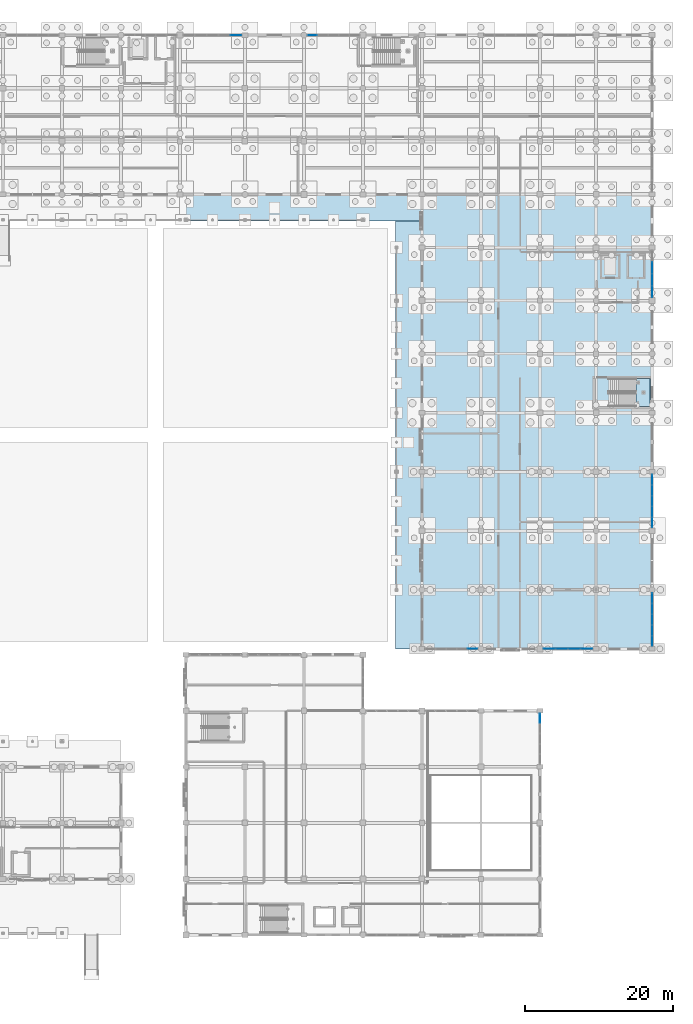
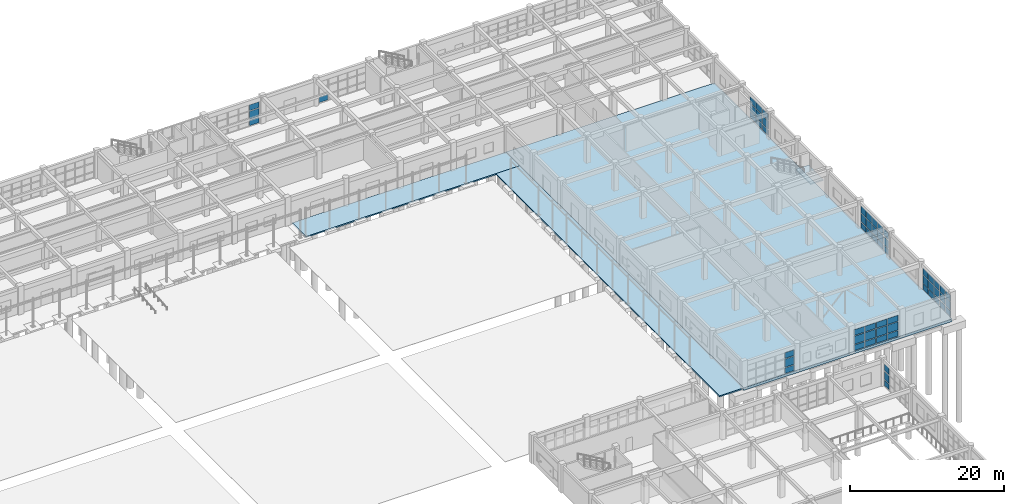
# One storey, part 116 of 166: 61 plates, 4 slabs, 9 elements without a shape of their own.
"""IFC4 building model written with IfcOpenShell, lengths in metres."""

from ifc_helpers import new_model, si_unit, direction, frame, origin, origin_2d, place, context, subcontext, project, spatial, polyline, rectangle, outline, extrude, material, layer, layer_set, type_object, element, aggregate, save


model = new_model("IFC4")

# Units and contexts
model_context = context("Model", 3, precision=1e-05, world=origin(), true_north=direction((0.0, 1.0)))
body_context = subcontext(model_context, "Body", "Model", "MODEL_VIEW")
ifc_project = project(units=[si_unit("LENGTHUNIT", "METRE"), si_unit("AREAUNIT", "SQUARE_METRE"), si_unit("VOLUMEUNIT", "CUBIC_METRE"), si_unit("PLANEANGLEUNIT", "RADIAN"), si_unit("MASSUNIT", "GRAM", prefix="KILO")], contexts=[model_context])

# Site, building, storey
site_placement = place(None, origin())
site = spatial("IfcSite", under=ifc_project, at=site_placement, CompositionType="ELEMENT")
building_placement = place(site_placement, origin())
building = spatial("IfcBuilding", under=site, at=building_placement, Name="Kharva Crest Polytechnic", CompositionType="ELEMENT")
storey_placement = place(building_placement, origin())
storey = spatial("IfcBuildingStorey", under=building, at=storey_placement, Name="L00", CompositionType="ELEMENT", Elevation=0.0)

# Curtain wall, plates
ifc_material_1 = material(Name="Tempered insulated glass", Category="glass")
curtain_wall_type_1 = type_object("IfcCurtainWallType", Name="CW-SYS-COURT", PredefinedType="USERDEFINED", material=ifc_material_1)
curtain_wall_1_placement = place(storey_placement, origin())
curtain_wall_1 = element("IfcCurtainWall", 1, at=curtain_wall_1_placement, inside=storey, type_object=curtain_wall_type_1, Name="L00 Glazed Curtain Wall CW-014", ObjectType="CURTAIN WALL", PredefinedType="USERDEFINED")
ifc_layer_1 = layer(ifc_material_1, 0.02392578125, Name="Tempered insulated glass")
ifc_layer_set_1 = layer_set([ifc_layer_1], Name="Tempered insulated glass")
plate_type_1 = type_object("IfcPlateType", Name="CWP-GLZ-24", PredefinedType="CURTAIN_PANEL", material=ifc_layer_set_1)
plate_1_placement = place(storey_placement, frame((159.655029296875, 38.800048828125, 0.119873046875), z_axis=(0.0, 0.0, 1.0), x_axis=(1.0, 0.0, 0.0)))
plate_1 = element("IfcPlate", 2, at=plate_1_placement, type_object=plate_type_1, Name="CW-014 panel 5.1", PredefinedType="CURTAIN_PANEL", context=body_context, shape_type="SweptSolid", body=[
    extrude(rectangle(XDim=1.320068359375, YDim=0.02392578125, at=origin_2d()), origin(), (0.0, 0.0, 1.0), 0.8701171875),
])
plate_2_placement = place(storey_placement, frame((159.655029296875, 38.800048828125, 1.10986328125), z_axis=(0.0, 0.0, 1.0), x_axis=(1.0, 0.0, 0.0)))
plate_2 = element("IfcPlate", 3, at=plate_2_placement, type_object=plate_type_1, Name="CW-014 panel 5.2", PredefinedType="CURTAIN_PANEL", context=body_context, shape_type="SweptSolid", body=[
    extrude(rectangle(XDim=1.320068359375, YDim=0.02392578125, at=origin_2d()), origin(), (0.0, 0.0, 1.0), 1.280029296875),
])
plate_3_placement = place(storey_placement, frame((159.655029296875, 38.800048828125, 2.51025390625), z_axis=(0.0, 0.0, 1.0), x_axis=(1.0, 0.0, 0.0)))
plate_3 = element("IfcPlate", 4, at=plate_3_placement, type_object=plate_type_1, Name="CW-014 panel 5.3", PredefinedType="CURTAIN_PANEL", context=body_context, shape_type="SweptSolid", body=[
    extrude(rectangle(XDim=1.320068359375, YDim=0.02392578125, at=origin_2d()), origin(), (0.0, 0.0, 1.0), 0.909912109375),
])
aggregate(curtain_wall_1, [plate_1, plate_2, plate_3])

curtain_wall_2_placement = place(storey_placement, origin())
curtain_wall_2 = element("IfcCurtainWall", 5, at=curtain_wall_2_placement, inside=storey, type_object=curtain_wall_type_1, Name="L00 Glazed Curtain Wall CW-015", ObjectType="CURTAIN WALL", PredefinedType="USERDEFINED")
plate_4_placement = place(storey_placement, frame((170.07373046875, 38.800048828125, 0.119873046875), z_axis=(0.0, 0.0, 1.0), x_axis=(1.0, 0.0, 0.0)))
plate_4 = element("IfcPlate", 6, at=plate_4_placement, type_object=plate_type_1, Name="CW-015 panel 1.1", PredefinedType="CURTAIN_PANEL", context=body_context, shape_type="SweptSolid", body=[
    extrude(rectangle(XDim=1.577392578125, YDim=0.02392578125, at=origin_2d()), origin(), (0.0, 0.0, 1.0), 0.8701171875),
])
plate_5_placement = place(storey_placement, frame((170.07373046875, 38.800048828125, 1.10986328125), z_axis=(0.0, 0.0, 1.0), x_axis=(1.0, 0.0, 0.0)))
plate_5 = element("IfcPlate", 7, at=plate_5_placement, type_object=plate_type_1, Name="CW-015 panel 1.2", PredefinedType="CURTAIN_PANEL", context=body_context, shape_type="SweptSolid", body=[
    extrude(rectangle(XDim=1.577392578125, YDim=0.02392578125, at=origin_2d()), origin(), (0.0, 0.0, 1.0), 1.280029296875),
])
plate_6_placement = place(storey_placement, frame((170.07373046875, 38.800048828125, 2.51025390625), z_axis=(0.0, 0.0, 1.0), x_axis=(1.0, 0.0, 0.0)))
plate_6 = element("IfcPlate", 8, at=plate_6_placement, type_object=plate_type_1, Name="CW-015 panel 1.3", PredefinedType="CURTAIN_PANEL", context=body_context, shape_type="SweptSolid", body=[
    extrude(rectangle(XDim=1.577392578125, YDim=0.02392578125, at=origin_2d()), origin(), (0.0, 0.0, 1.0), 0.909912109375),
])
plate_7_placement = place(storey_placement, frame((171.751220703125, 38.800048828125, 0.119873046875), z_axis=(0.0, 0.0, 1.0), x_axis=(1.0, 0.0, 0.0)))
plate_7 = element("IfcPlate", 9, at=plate_7_placement, type_object=plate_type_1, Name="CW-015 panel 2.1", PredefinedType="CURTAIN_PANEL", context=body_context, shape_type="SweptSolid", body=[
    extrude(rectangle(XDim=1.617431640625, YDim=0.02392578125, at=origin_2d()), origin(), (0.0, 0.0, 1.0), 0.8701171875),
])
plate_8_placement = place(storey_placement, frame((171.751220703125, 38.800048828125, 1.10986328125), z_axis=(0.0, 0.0, 1.0), x_axis=(1.0, 0.0, 0.0)))
plate_8 = element("IfcPlate", 10, at=plate_8_placement, type_object=plate_type_1, Name="CW-015 panel 2.2", PredefinedType="CURTAIN_PANEL", context=body_context, shape_type="SweptSolid", body=[
    extrude(rectangle(XDim=1.617431640625, YDim=0.02392578125, at=origin_2d()), origin(), (0.0, 0.0, 1.0), 1.280029296875),
])
plate_9_placement = place(storey_placement, frame((171.751220703125, 38.800048828125, 2.51025390625), z_axis=(0.0, 0.0, 1.0), x_axis=(1.0, 0.0, 0.0)))
plate_9 = element("IfcPlate", 11, at=plate_9_placement, type_object=plate_type_1, Name="CW-015 panel 2.3", PredefinedType="CURTAIN_PANEL", context=body_context, shape_type="SweptSolid", body=[
    extrude(rectangle(XDim=1.617431640625, YDim=0.02392578125, at=origin_2d()), origin(), (0.0, 0.0, 1.0), 0.909912109375),
])
plate_10_placement = place(storey_placement, frame((173.44873046875, 38.800048828125, 0.119873046875), z_axis=(0.0, 0.0, 1.0), x_axis=(1.0, 0.0, 0.0)))
plate_10 = element("IfcPlate", 12, at=plate_10_placement, type_object=plate_type_1, Name="CW-015 panel 3.1", PredefinedType="CURTAIN_PANEL", context=body_context, shape_type="SweptSolid", body=[
    extrude(rectangle(XDim=1.617431640625, YDim=0.02392578125, at=origin_2d()), origin(), (0.0, 0.0, 1.0), 0.8701171875),
])
plate_11_placement = place(storey_placement, frame((173.44873046875, 38.800048828125, 1.10986328125), z_axis=(0.0, 0.0, 1.0), x_axis=(1.0, 0.0, 0.0)))
plate_11 = element("IfcPlate", 13, at=plate_11_placement, type_object=plate_type_1, Name="CW-015 panel 3.2", PredefinedType="CURTAIN_PANEL", context=body_context, shape_type="SweptSolid", body=[
    extrude(rectangle(XDim=1.617431640625, YDim=0.02392578125, at=origin_2d()), origin(), (0.0, 0.0, 1.0), 1.280029296875),
])
plate_12_placement = place(storey_placement, frame((173.44873046875, 38.800048828125, 2.51025390625), z_axis=(0.0, 0.0, 1.0), x_axis=(1.0, 0.0, 0.0)))
plate_12 = element("IfcPlate", 14, at=plate_12_placement, type_object=plate_type_1, Name="CW-015 panel 3.3", PredefinedType="CURTAIN_PANEL", context=body_context, shape_type="SweptSolid", body=[
    extrude(rectangle(XDim=1.617431640625, YDim=0.02392578125, at=origin_2d()), origin(), (0.0, 0.0, 1.0), 0.909912109375),
])
plate_13_placement = place(storey_placement, frame((175.126220703125, 38.800048828125, 0.119873046875), z_axis=(0.0, 0.0, 1.0), x_axis=(1.0, 0.0, 0.0)))
plate_13 = element("IfcPlate", 15, at=plate_13_placement, type_object=plate_type_1, Name="CW-015 panel 4.1", PredefinedType="CURTAIN_PANEL", context=body_context, shape_type="SweptSolid", body=[
    extrude(rectangle(XDim=1.577392578125, YDim=0.02392578125, at=origin_2d()), origin(), (0.0, 0.0, 1.0), 0.8701171875),
])
plate_14_placement = place(storey_placement, frame((175.126220703125, 38.800048828125, 1.10986328125), z_axis=(0.0, 0.0, 1.0), x_axis=(1.0, 0.0, 0.0)))
plate_14 = element("IfcPlate", 16, at=plate_14_placement, type_object=plate_type_1, Name="CW-015 panel 4.2", PredefinedType="CURTAIN_PANEL", context=body_context, shape_type="SweptSolid", body=[
    extrude(rectangle(XDim=1.577392578125, YDim=0.02392578125, at=origin_2d()), origin(), (0.0, 0.0, 1.0), 1.280029296875),
])
plate_15_placement = place(storey_placement, frame((175.126220703125, 38.800048828125, 2.51025390625), z_axis=(0.0, 0.0, 1.0), x_axis=(1.0, 0.0, 0.0)))
plate_15 = element("IfcPlate", 17, at=plate_15_placement, type_object=plate_type_1, Name="CW-015 panel 4.3", PredefinedType="CURTAIN_PANEL", context=body_context, shape_type="SweptSolid", body=[
    extrude(rectangle(XDim=1.577392578125, YDim=0.02392578125, at=origin_2d()), origin(), (0.0, 0.0, 1.0), 0.909912109375),
])
aggregate(curtain_wall_2, [plate_4, plate_5, plate_6, plate_7, plate_8, plate_9, plate_10, plate_11, plate_12, plate_13, plate_14, plate_15])

curtain_wall_3_placement = place(storey_placement, origin())
curtain_wall_3 = element("IfcCurtainWall", 18, at=curtain_wall_3_placement, inside=storey, type_object=curtain_wall_type_1, Name="L00 Glazed Curtain Wall CW-016", ObjectType="CURTAIN WALL", PredefinedType="USERDEFINED")
plate_16_placement = place(storey_placement, frame((184.0, 39.85400390625, 0.119873046875), z_axis=(0.0, 0.0, 1.0), x_axis=(0.0, 1.0, 0.0)))
plate_16 = element("IfcPlate", 19, at=plate_16_placement, type_object=plate_type_1, Name="CW-016 panel 1.1", PredefinedType="CURTAIN_PANEL", context=body_context, shape_type="SweptSolid", body=[
    extrude(rectangle(XDim=1.337890625, YDim=0.02392578125, at=origin_2d()), origin(), (0.0, 0.0, 1.0), 0.8701171875),
])
plate_17_placement = place(storey_placement, frame((184.0, 39.85400390625, 1.10986328125), z_axis=(0.0, 0.0, 1.0), x_axis=(0.0, 1.0, 0.0)))
plate_17 = element("IfcPlate", 20, at=plate_17_placement, type_object=plate_type_1, Name="CW-016 panel 1.2", PredefinedType="CURTAIN_PANEL", context=body_context, shape_type="SweptSolid", body=[
    extrude(rectangle(XDim=1.337890625, YDim=0.02392578125, at=origin_2d()), origin(), (0.0, 0.0, 1.0), 1.280029296875),
])
plate_18_placement = place(storey_placement, frame((184.0, 39.85400390625, 2.51025390625), z_axis=(0.0, 0.0, 1.0), x_axis=(0.0, 1.0, 0.0)))
plate_18 = element("IfcPlate", 21, at=plate_18_placement, type_object=plate_type_1, Name="CW-016 panel 1.3", PredefinedType="CURTAIN_PANEL", context=body_context, shape_type="SweptSolid", body=[
    extrude(rectangle(XDim=1.337890625, YDim=0.02392578125, at=origin_2d()), origin(), (0.0, 0.0, 1.0), 0.969970703125),
])
plate_19_placement = place(storey_placement, frame((184.0, 41.2919921875, 0.119873046875), z_axis=(0.0, 0.0, 1.0), x_axis=(0.0, 1.0, 0.0)))
plate_19 = element("IfcPlate", 22, at=plate_19_placement, type_object=plate_type_1, Name="CW-016 panel 2.1", PredefinedType="CURTAIN_PANEL", context=body_context, shape_type="SweptSolid", body=[
    extrude(rectangle(XDim=1.3779296875, YDim=0.02392578125, at=origin_2d()), origin(), (0.0, 0.0, 1.0), 0.8701171875),
])
plate_20_placement = place(storey_placement, frame((184.0, 41.2919921875, 1.10986328125), z_axis=(0.0, 0.0, 1.0), x_axis=(0.0, 1.0, 0.0)))
plate_20 = element("IfcPlate", 23, at=plate_20_placement, type_object=plate_type_1, Name="CW-016 panel 2.2", PredefinedType="CURTAIN_PANEL", context=body_context, shape_type="SweptSolid", body=[
    extrude(rectangle(XDim=1.3779296875, YDim=0.02392578125, at=origin_2d()), origin(), (0.0, 0.0, 1.0), 1.280029296875),
])
plate_21_placement = place(storey_placement, frame((184.0, 41.2919921875, 2.51025390625), z_axis=(0.0, 0.0, 1.0), x_axis=(0.0, 1.0, 0.0)))
plate_21 = element("IfcPlate", 24, at=plate_21_placement, type_object=plate_type_1, Name="CW-016 panel 2.3", PredefinedType="CURTAIN_PANEL", context=body_context, shape_type="SweptSolid", body=[
    extrude(rectangle(XDim=1.3779296875, YDim=0.02392578125, at=origin_2d()), origin(), (0.0, 0.0, 1.0), 0.969970703125),
])
plate_22_placement = place(storey_placement, frame((184.0, 42.75, 0.119873046875), z_axis=(0.0, 0.0, 1.0), x_axis=(0.0, 1.0, 0.0)))
plate_22 = element("IfcPlate", 25, at=plate_22_placement, type_object=plate_type_1, Name="CW-016 panel 3.1", PredefinedType="CURTAIN_PANEL", context=body_context, shape_type="SweptSolid", body=[
    extrude(rectangle(XDim=1.3779296875, YDim=0.02392578125, at=origin_2d()), origin(), (0.0, 0.0, 1.0), 0.8701171875),
])
plate_23_placement = place(storey_placement, frame((184.0, 42.75, 1.10986328125), z_axis=(0.0, 0.0, 1.0), x_axis=(0.0, 1.0, 0.0)))
plate_23 = element("IfcPlate", 26, at=plate_23_placement, type_object=plate_type_1, Name="CW-016 panel 3.2", PredefinedType="CURTAIN_PANEL", context=body_context, shape_type="SweptSolid", body=[
    extrude(rectangle(XDim=1.3779296875, YDim=0.02392578125, at=origin_2d()), origin(), (0.0, 0.0, 1.0), 1.280029296875),
])
plate_24_placement = place(storey_placement, frame((184.0, 42.75, 2.51025390625), z_axis=(0.0, 0.0, 1.0), x_axis=(0.0, 1.0, 0.0)))
plate_24 = element("IfcPlate", 27, at=plate_24_placement, type_object=plate_type_1, Name="CW-016 panel 3.3", PredefinedType="CURTAIN_PANEL", context=body_context, shape_type="SweptSolid", body=[
    extrude(rectangle(XDim=1.3779296875, YDim=0.02392578125, at=origin_2d()), origin(), (0.0, 0.0, 1.0), 0.969970703125),
])
plate_25_placement = place(storey_placement, frame((184.0, 44.2080078125, 0.119873046875), z_axis=(0.0, 0.0, 1.0), x_axis=(0.0, 1.0, 0.0)))
plate_25 = element("IfcPlate", 28, at=plate_25_placement, type_object=plate_type_1, Name="CW-016 panel 4.1", PredefinedType="CURTAIN_PANEL", context=body_context, shape_type="SweptSolid", body=[
    extrude(rectangle(XDim=1.3779296875, YDim=0.02392578125, at=origin_2d()), origin(), (0.0, 0.0, 1.0), 0.8701171875),
])
plate_26_placement = place(storey_placement, frame((184.0, 44.2080078125, 1.10986328125), z_axis=(0.0, 0.0, 1.0), x_axis=(0.0, 1.0, 0.0)))
plate_26 = element("IfcPlate", 29, at=plate_26_placement, type_object=plate_type_1, Name="CW-016 panel 4.2", PredefinedType="CURTAIN_PANEL", context=body_context, shape_type="SweptSolid", body=[
    extrude(rectangle(XDim=1.3779296875, YDim=0.02392578125, at=origin_2d()), origin(), (0.0, 0.0, 1.0), 1.280029296875),
])
plate_27_placement = place(storey_placement, frame((184.0, 44.2080078125, 2.51025390625), z_axis=(0.0, 0.0, 1.0), x_axis=(0.0, 1.0, 0.0)))
plate_27 = element("IfcPlate", 30, at=plate_27_placement, type_object=plate_type_1, Name="CW-016 panel 4.3", PredefinedType="CURTAIN_PANEL", context=body_context, shape_type="SweptSolid", body=[
    extrude(rectangle(XDim=1.3779296875, YDim=0.02392578125, at=origin_2d()), origin(), (0.0, 0.0, 1.0), 0.969970703125),
])
plate_28_placement = place(storey_placement, frame((184.0, 45.64599609375, 0.119873046875), z_axis=(0.0, 0.0, 1.0), x_axis=(0.0, 1.0, 0.0)))
plate_28 = element("IfcPlate", 31, at=plate_28_placement, type_object=plate_type_1, Name="CW-016 panel 5.1", PredefinedType="CURTAIN_PANEL", context=body_context, shape_type="SweptSolid", body=[
    extrude(rectangle(XDim=1.337890625, YDim=0.02392578125, at=origin_2d()), origin(), (0.0, 0.0, 1.0), 0.8701171875),
])
plate_29_placement = place(storey_placement, frame((184.0, 45.64599609375, 1.10986328125), z_axis=(0.0, 0.0, 1.0), x_axis=(0.0, 1.0, 0.0)))
plate_29 = element("IfcPlate", 32, at=plate_29_placement, type_object=plate_type_1, Name="CW-016 panel 5.2", PredefinedType="CURTAIN_PANEL", context=body_context, shape_type="SweptSolid", body=[
    extrude(rectangle(XDim=1.337890625, YDim=0.02392578125, at=origin_2d()), origin(), (0.0, 0.0, 1.0), 1.280029296875),
])
plate_30_placement = place(storey_placement, frame((184.0, 45.64599609375, 2.51025390625), z_axis=(0.0, 0.0, 1.0), x_axis=(0.0, 1.0, 0.0)))
plate_30 = element("IfcPlate", 33, at=plate_30_placement, type_object=plate_type_1, Name="CW-016 panel 5.3", PredefinedType="CURTAIN_PANEL", context=body_context, shape_type="SweptSolid", body=[
    extrude(rectangle(XDim=1.337890625, YDim=0.02392578125, at=origin_2d()), origin(), (0.0, 0.0, 1.0), 0.969970703125),
])
aggregate(curtain_wall_3, [plate_16, plate_17, plate_18, plate_19, plate_20, plate_21, plate_22, plate_23, plate_24, plate_25, plate_26, plate_27, plate_28, plate_29, plate_30])

curtain_wall_4_placement = place(storey_placement, origin())
curtain_wall_4 = element("IfcCurtainWall", 34, at=curtain_wall_4_placement, inside=storey, type_object=curtain_wall_type_1, Name="L00 Glazed Curtain Wall CW-017", ObjectType="CURTAIN WALL", PredefinedType="USERDEFINED")
plate_31_placement = place(storey_placement, frame((184.0, 55.951416015625, 0.119873046875), z_axis=(0.0, 0.0, 1.0), x_axis=(0.0, 1.0, 0.0)))
plate_31 = element("IfcPlate", 35, at=plate_31_placement, type_object=plate_type_1, Name="CW-017 panel 1.1", PredefinedType="CURTAIN_PANEL", context=body_context, shape_type="SweptSolid", body=[
    extrude(rectangle(XDim=1.3330078125, YDim=0.02392578125, at=origin_2d()), origin(), (0.0, 0.0, 1.0), 0.8701171875),
])
plate_32_placement = place(storey_placement, frame((184.0, 55.951416015625, 1.10986328125), z_axis=(0.0, 0.0, 1.0), x_axis=(0.0, 1.0, 0.0)))
plate_32 = element("IfcPlate", 36, at=plate_32_placement, type_object=plate_type_1, Name="CW-017 panel 1.2", PredefinedType="CURTAIN_PANEL", context=body_context, shape_type="SweptSolid", body=[
    extrude(rectangle(XDim=1.3330078125, YDim=0.02392578125, at=origin_2d()), origin(), (0.0, 0.0, 1.0), 1.280029296875),
])
plate_33_placement = place(storey_placement, frame((184.0, 55.951416015625, 2.509765625), z_axis=(0.0, 0.0, 1.0), x_axis=(0.0, 1.0, 0.0)))
plate_33 = element("IfcPlate", 37, at=plate_33_placement, type_object=plate_type_1, Name="CW-017 panel 1.3", PredefinedType="CURTAIN_PANEL", context=body_context, shape_type="SweptSolid", body=[
    extrude(rectangle(XDim=1.3330078125, YDim=0.02392578125, at=origin_2d()), origin(), (0.0, 0.0, 1.0), 1.070068359375),
])
plate_34_placement = place(storey_placement, frame((184.0, 57.384521484375, 0.119873046875), z_axis=(0.0, 0.0, 1.0), x_axis=(0.0, 1.0, 0.0)))
plate_34 = element("IfcPlate", 38, at=plate_34_placement, type_object=plate_type_1, Name="CW-017 panel 2.1", PredefinedType="CURTAIN_PANEL", context=body_context, shape_type="SweptSolid", body=[
    extrude(rectangle(XDim=1.373046875, YDim=0.02392578125, at=origin_2d()), origin(), (0.0, 0.0, 1.0), 0.8701171875),
])
plate_35_placement = place(storey_placement, frame((184.0, 57.384521484375, 1.10986328125), z_axis=(0.0, 0.0, 1.0), x_axis=(0.0, 1.0, 0.0)))
plate_35 = element("IfcPlate", 39, at=plate_35_placement, type_object=plate_type_1, Name="CW-017 panel 2.2", PredefinedType="CURTAIN_PANEL", context=body_context, shape_type="SweptSolid", body=[
    extrude(rectangle(XDim=1.373046875, YDim=0.02392578125, at=origin_2d()), origin(), (0.0, 0.0, 1.0), 1.280029296875),
])
plate_36_placement = place(storey_placement, frame((184.0, 57.384521484375, 2.509765625), z_axis=(0.0, 0.0, 1.0), x_axis=(0.0, 1.0, 0.0)))
plate_36 = element("IfcPlate", 40, at=plate_36_placement, type_object=plate_type_1, Name="CW-017 panel 2.3", PredefinedType="CURTAIN_PANEL", context=body_context, shape_type="SweptSolid", body=[
    extrude(rectangle(XDim=1.373046875, YDim=0.02392578125, at=origin_2d()), origin(), (0.0, 0.0, 1.0), 1.070068359375),
])
plate_37_placement = place(storey_placement, frame((184.0, 58.83740234375, 0.119873046875), z_axis=(0.0, 0.0, 1.0), x_axis=(0.0, 1.0, 0.0)))
plate_37 = element("IfcPlate", 41, at=plate_37_placement, type_object=plate_type_1, Name="CW-017 panel 3.1", PredefinedType="CURTAIN_PANEL", context=body_context, shape_type="SweptSolid", body=[
    extrude(rectangle(XDim=1.373046875, YDim=0.02392578125, at=origin_2d()), origin(), (0.0, 0.0, 1.0), 0.8701171875),
])
plate_38_placement = place(storey_placement, frame((184.0, 58.83740234375, 1.10986328125), z_axis=(0.0, 0.0, 1.0), x_axis=(0.0, 1.0, 0.0)))
plate_38 = element("IfcPlate", 42, at=plate_38_placement, type_object=plate_type_1, Name="CW-017 panel 3.2", PredefinedType="CURTAIN_PANEL", context=body_context, shape_type="SweptSolid", body=[
    extrude(rectangle(XDim=1.373046875, YDim=0.02392578125, at=origin_2d()), origin(), (0.0, 0.0, 1.0), 1.280029296875),
])
plate_39_placement = place(storey_placement, frame((184.0, 58.83740234375, 2.509765625), z_axis=(0.0, 0.0, 1.0), x_axis=(0.0, 1.0, 0.0)))
plate_39 = element("IfcPlate", 43, at=plate_39_placement, type_object=plate_type_1, Name="CW-017 panel 3.3", PredefinedType="CURTAIN_PANEL", context=body_context, shape_type="SweptSolid", body=[
    extrude(rectangle(XDim=1.373046875, YDim=0.02392578125, at=origin_2d()), origin(), (0.0, 0.0, 1.0), 1.070068359375),
])
plate_40_placement = place(storey_placement, frame((184.0, 60.29052734375, 0.119873046875), z_axis=(0.0, 0.0, 1.0), x_axis=(0.0, 1.0, 0.0)))
plate_40 = element("IfcPlate", 44, at=plate_40_placement, type_object=plate_type_1, Name="CW-017 panel 4.1", PredefinedType="CURTAIN_PANEL", context=body_context, shape_type="SweptSolid", body=[
    extrude(rectangle(XDim=1.373046875, YDim=0.02392578125, at=origin_2d()), origin(), (0.0, 0.0, 1.0), 0.8701171875),
])
plate_41_placement = place(storey_placement, frame((184.0, 60.29052734375, 1.10986328125), z_axis=(0.0, 0.0, 1.0), x_axis=(0.0, 1.0, 0.0)))
plate_41 = element("IfcPlate", 45, at=plate_41_placement, type_object=plate_type_1, Name="CW-017 panel 4.2", PredefinedType="CURTAIN_PANEL", context=body_context, shape_type="SweptSolid", body=[
    extrude(rectangle(XDim=1.373046875, YDim=0.02392578125, at=origin_2d()), origin(), (0.0, 0.0, 1.0), 1.280029296875),
])
plate_42_placement = place(storey_placement, frame((184.0, 60.29052734375, 2.509765625), z_axis=(0.0, 0.0, 1.0), x_axis=(0.0, 1.0, 0.0)))
plate_42 = element("IfcPlate", 46, at=plate_42_placement, type_object=plate_type_1, Name="CW-017 panel 4.3", PredefinedType="CURTAIN_PANEL", context=body_context, shape_type="SweptSolid", body=[
    extrude(rectangle(XDim=1.373046875, YDim=0.02392578125, at=origin_2d()), origin(), (0.0, 0.0, 1.0), 1.070068359375),
])
plate_43_placement = place(storey_placement, frame((184.0, 61.723388671875, 0.119873046875), z_axis=(0.0, 0.0, 1.0), x_axis=(0.0, 1.0, 0.0)))
plate_43 = element("IfcPlate", 47, at=plate_43_placement, type_object=plate_type_1, Name="CW-017 panel 5.1", PredefinedType="CURTAIN_PANEL", context=body_context, shape_type="SweptSolid", body=[
    extrude(rectangle(XDim=1.3330078125, YDim=0.02392578125, at=origin_2d()), origin(), (0.0, 0.0, 1.0), 0.8701171875),
])
plate_44_placement = place(storey_placement, frame((184.0, 61.723388671875, 1.10986328125), z_axis=(0.0, 0.0, 1.0), x_axis=(0.0, 1.0, 0.0)))
plate_44 = element("IfcPlate", 48, at=plate_44_placement, type_object=plate_type_1, Name="CW-017 panel 5.2", PredefinedType="CURTAIN_PANEL", context=body_context, shape_type="SweptSolid", body=[
    extrude(rectangle(XDim=1.3330078125, YDim=0.02392578125, at=origin_2d()), origin(), (0.0, 0.0, 1.0), 1.280029296875),
])
plate_45_placement = place(storey_placement, frame((184.0, 61.723388671875, 2.509765625), z_axis=(0.0, 0.0, 1.0), x_axis=(0.0, 1.0, 0.0)))
plate_45 = element("IfcPlate", 49, at=plate_45_placement, type_object=plate_type_1, Name="CW-017 panel 5.3", PredefinedType="CURTAIN_PANEL", context=body_context, shape_type="SweptSolid", body=[
    extrude(rectangle(XDim=1.3330078125, YDim=0.02392578125, at=origin_2d()), origin(), (0.0, 0.0, 1.0), 1.070068359375),
])
aggregate(curtain_wall_4, [plate_31, plate_32, plate_33, plate_34, plate_35, plate_36, plate_37, plate_38, plate_39, plate_40, plate_41, plate_42, plate_43, plate_44, plate_45])

curtain_wall_5_placement = place(storey_placement, origin())
curtain_wall_5 = element("IfcCurtainWall", 50, at=curtain_wall_5_placement, inside=storey, type_object=curtain_wall_type_1, Name="L00 Glazed Curtain Wall CW-018", ObjectType="CURTAIN WALL", PredefinedType="USERDEFINED")
plate_46_placement = place(storey_placement, frame((184.0, 87.233154296875, 0.119873046875), z_axis=(0.0, 0.0, 1.0), x_axis=(0.0, 1.0, 0.0)))
plate_46 = element("IfcPlate", 51, at=plate_46_placement, type_object=plate_type_1, Name="CW-018 panel 1.1", PredefinedType="CURTAIN_PANEL", context=body_context, shape_type="SweptSolid", body=[
    extrude(rectangle(XDim=1.496337890625, YDim=0.02392578125, at=origin_2d()), origin(), (0.0, 0.0, 1.0), 0.8701171875),
])
plate_47_placement = place(storey_placement, frame((184.0, 87.233154296875, 1.10986328125), z_axis=(0.0, 0.0, 1.0), x_axis=(0.0, 1.0, 0.0)))
plate_47 = element("IfcPlate", 52, at=plate_47_placement, type_object=plate_type_1, Name="CW-018 panel 1.2", PredefinedType="CURTAIN_PANEL", context=body_context, shape_type="SweptSolid", body=[
    extrude(rectangle(XDim=1.496337890625, YDim=0.02392578125, at=origin_2d()), origin(), (0.0, 0.0, 1.0), 1.280029296875),
])
plate_48_placement = place(storey_placement, frame((184.0, 87.233154296875, 2.51025390625), z_axis=(0.0, 0.0, 1.0), x_axis=(0.0, 1.0, 0.0)))
plate_48 = element("IfcPlate", 53, at=plate_48_placement, type_object=plate_type_1, Name="CW-018 panel 1.3", PredefinedType="CURTAIN_PANEL", context=body_context, shape_type="SweptSolid", body=[
    extrude(rectangle(XDim=1.496337890625, YDim=0.02392578125, at=origin_2d()), origin(), (0.0, 0.0, 1.0), 0.969970703125),
])
plate_49_placement = place(storey_placement, frame((184.0, 88.829345703125, 0.119873046875), z_axis=(0.0, 0.0, 1.0), x_axis=(0.0, 1.0, 0.0)))
plate_49 = element("IfcPlate", 54, at=plate_49_placement, type_object=plate_type_1, Name="CW-018 panel 2.1", PredefinedType="CURTAIN_PANEL", context=body_context, shape_type="SweptSolid", body=[
    extrude(rectangle(XDim=1.5361328125, YDim=0.02392578125, at=origin_2d()), origin(), (0.0, 0.0, 1.0), 0.8701171875),
])
plate_50_placement = place(storey_placement, frame((184.0, 88.829345703125, 1.10986328125), z_axis=(0.0, 0.0, 1.0), x_axis=(0.0, 1.0, 0.0)))
plate_50 = element("IfcPlate", 55, at=plate_50_placement, type_object=plate_type_1, Name="CW-018 panel 2.2", PredefinedType="CURTAIN_PANEL", context=body_context, shape_type="SweptSolid", body=[
    extrude(rectangle(XDim=1.5361328125, YDim=0.02392578125, at=origin_2d()), origin(), (0.0, 0.0, 1.0), 1.280029296875),
])
plate_51_placement = place(storey_placement, frame((184.0, 88.829345703125, 2.51025390625), z_axis=(0.0, 0.0, 1.0), x_axis=(0.0, 1.0, 0.0)))
plate_51 = element("IfcPlate", 56, at=plate_51_placement, type_object=plate_type_1, Name="CW-018 panel 2.3", PredefinedType="CURTAIN_PANEL", context=body_context, shape_type="SweptSolid", body=[
    extrude(rectangle(XDim=1.5361328125, YDim=0.02392578125, at=origin_2d()), origin(), (0.0, 0.0, 1.0), 0.969970703125),
])
plate_52_placement = place(storey_placement, frame((184.0, 90.445556640625, 0.119873046875), z_axis=(0.0, 0.0, 1.0), x_axis=(0.0, 1.0, 0.0)))
plate_52 = element("IfcPlate", 57, at=plate_52_placement, type_object=plate_type_1, Name="CW-018 panel 3.1", PredefinedType="CURTAIN_PANEL", context=body_context, shape_type="SweptSolid", body=[
    extrude(rectangle(XDim=1.5361328125, YDim=0.02392578125, at=origin_2d()), origin(), (0.0, 0.0, 1.0), 0.8701171875),
])
plate_53_placement = place(storey_placement, frame((184.0, 90.445556640625, 1.10986328125), z_axis=(0.0, 0.0, 1.0), x_axis=(0.0, 1.0, 0.0)))
plate_53 = element("IfcPlate", 58, at=plate_53_placement, type_object=plate_type_1, Name="CW-018 panel 3.2", PredefinedType="CURTAIN_PANEL", context=body_context, shape_type="SweptSolid", body=[
    extrude(rectangle(XDim=1.5361328125, YDim=0.02392578125, at=origin_2d()), origin(), (0.0, 0.0, 1.0), 1.280029296875),
])
plate_54_placement = place(storey_placement, frame((184.0, 90.445556640625, 2.51025390625), z_axis=(0.0, 0.0, 1.0), x_axis=(0.0, 1.0, 0.0)))
plate_54 = element("IfcPlate", 59, at=plate_54_placement, type_object=plate_type_1, Name="CW-018 panel 3.3", PredefinedType="CURTAIN_PANEL", context=body_context, shape_type="SweptSolid", body=[
    extrude(rectangle(XDim=1.5361328125, YDim=0.02392578125, at=origin_2d()), origin(), (0.0, 0.0, 1.0), 0.969970703125),
])
aggregate(curtain_wall_5, [plate_46, plate_47, plate_48, plate_49, plate_50, plate_51, plate_52, plate_53, plate_54])

# Curtain wall, plate
curtain_wall_6_placement = place(storey_placement, origin())
curtain_wall_6 = element("IfcCurtainWall", 60, at=curtain_wall_6_placement, inside=storey, type_object=curtain_wall_type_1, Name="L00 Glazed Curtain Wall CW-023", ObjectType="CURTAIN WALL", PredefinedType="USERDEFINED")
plate_55_placement = place(storey_placement, frame((137.944091796875, 122.0, 0.119873046875), z_axis=(0.0, 0.0, 1.0), x_axis=(-1.0, 0.0, 0.0)))
plate_55 = element("IfcPlate", 61, at=plate_55_placement, type_object=plate_type_1, Name="CW-023 panel 5.1", PredefinedType="CURTAIN_PANEL", context=body_context, shape_type="SweptSolid", body=[
    extrude(rectangle(XDim=1.318115234375, YDim=0.02392578125, at=origin_2d()), origin(), (0.0, 0.0, 1.0), 0.8701171875),
])
aggregate(curtain_wall_6, [plate_55])

# Curtain wall, plates
curtain_wall_7_placement = place(storey_placement, origin())
curtain_wall_7 = element("IfcCurtainWall", 62, at=curtain_wall_7_placement, inside=storey, type_object=curtain_wall_type_1, Name="L00 Glazed Curtain Wall CW-024", ObjectType="CURTAIN WALL", PredefinedType="USERDEFINED")
plate_56_placement = place(storey_placement, frame((127.5849609375, 122.0, 0.119873046875), z_axis=(0.0, 0.0, 1.0), x_axis=(-1.0, 0.0, 0.0)))
plate_56 = element("IfcPlate", 63, at=plate_56_placement, type_object=plate_type_1, Name="CW-024 panel 1.1", PredefinedType="CURTAIN_PANEL", context=body_context, shape_type="SweptSolid", body=[
    extrude(rectangle(XDim=1.47998046875, YDim=0.02392578125, at=origin_2d()), origin(), (0.0, 0.0, 1.0), 0.8701171875),
])
plate_57_placement = place(storey_placement, frame((127.5849609375, 122.0, 1.10986328125), z_axis=(0.0, 0.0, 1.0), x_axis=(-1.0, 0.0, 0.0)))
plate_57 = element("IfcPlate", 64, at=plate_57_placement, type_object=plate_type_1, Name="CW-024 panel 1.2", PredefinedType="CURTAIN_PANEL", context=body_context, shape_type="SweptSolid", body=[
    extrude(rectangle(XDim=1.47998046875, YDim=0.02392578125, at=origin_2d()), origin(), (0.0, 0.0, 1.0), 1.280029296875),
])
plate_58_placement = place(storey_placement, frame((127.5849609375, 122.0, 2.51025390625), z_axis=(0.0, 0.0, 1.0), x_axis=(-1.0, 0.0, 0.0)))
plate_58 = element("IfcPlate", 65, at=plate_58_placement, type_object=plate_type_1, Name="CW-024 panel 1.3", PredefinedType="CURTAIN_PANEL", context=body_context, shape_type="SweptSolid", body=[
    extrude(rectangle(XDim=1.47998046875, YDim=0.02392578125, at=origin_2d()), origin(), (0.0, 0.0, 1.0), 0.909912109375),
])
aggregate(curtain_wall_7, [plate_56, plate_57, plate_58])

curtain_wall_type_2 = type_object("IfcCurtainWallType", Name="CW-SYS-REFECTORY", PredefinedType="USERDEFINED", material=ifc_material_1)
curtain_wall_8_placement = place(storey_placement, origin())
curtain_wall_8 = element("IfcCurtainWall", 66, at=curtain_wall_8_placement, inside=storey, type_object=curtain_wall_type_2, Name="L00 Glazed Curtain Wall CW-011", ObjectType="CURTAIN WALL", PredefinedType="USERDEFINED")
ifc_layer_2 = layer(ifc_material_1, 0.030029296875, Name="Tempered insulated glass")
ifc_layer_set_2 = layer_set([ifc_layer_2], Name="Tempered insulated glass")
plate_type_2 = type_object("IfcPlateType", Name="CWP-GLZ-30", PredefinedType="CURTAIN_PANEL", material=ifc_layer_set_2)
plate_59_placement = place(storey_placement, frame((168.800048828125, 29.37353515625, 0.14013671875), z_axis=(0.0, 0.0, 1.0), x_axis=(0.0, 1.0, 0.0)))
plate_59 = element("IfcPlate", 67, at=plate_59_placement, type_object=plate_type_2, Name="CW-011 panel 5.1", PredefinedType="CURTAIN_PANEL", context=body_context, shape_type="SweptSolid", body=[
    extrude(rectangle(XDim=1.242919921875, YDim=0.030029296875, at=origin_2d()), origin(), (0.0, 0.0, 1.0), 0.840087890625),
])
plate_60_placement = place(storey_placement, frame((168.800048828125, 29.37353515625, 1.1201171875), z_axis=(0.0, 0.0, 1.0), x_axis=(0.0, 1.0, 0.0)))
plate_60 = element("IfcPlate", 68, at=plate_60_placement, type_object=plate_type_2, Name="CW-011 panel 5.2", PredefinedType="CURTAIN_PANEL", context=body_context, shape_type="SweptSolid", body=[
    extrude(rectangle(XDim=1.242919921875, YDim=0.030029296875, at=origin_2d()), origin(), (0.0, 0.0, 1.0), 1.260009765625),
])
plate_61_placement = place(storey_placement, frame((168.800048828125, 29.37353515625, 2.52001953125), z_axis=(0.0, 0.0, 1.0), x_axis=(0.0, 1.0, 0.0)))
plate_61 = element("IfcPlate", 69, at=plate_61_placement, type_object=plate_type_2, Name="CW-011 panel 5.3", PredefinedType="CURTAIN_PANEL", context=body_context, shape_type="SweptSolid", body=[
    extrude(rectangle(XDim=1.242919921875, YDim=0.030029296875, at=origin_2d()), origin(), (0.0, 0.0, 1.0), 1.0400390625),
])
aggregate(curtain_wall_8, [plate_59, plate_60, plate_61])

# Slab
ifc_material_2 = material(Name="Concrete C35/45", Category="concrete")
ifc_layer_3 = layer(ifc_material_2, 0.405029296875, Name="Concrete C35/45")
ifc_layer_set_3 = layer_set([ifc_layer_3], Name="Concrete C35/45")
slab_type_1 = type_object("IfcSlabType", Name="SLB-BASE-400", PredefinedType="BASESLAB", material=ifc_layer_set_3)
slab_1_placement = place(storey_placement, frame((0.0, 0.0, -0.405029296875)))
element("IfcSlab", 70, at=slab_1_placement, inside=storey, type_object=slab_type_1, Name="L00 Structural Slab E_LAB", PredefinedType="BASESLAB", context=body_context, shape_type="SweptSolid", body=[
    extrude(outline(polyline([(152.800048828125, 38.800048828125), (184.0, 38.800048828125), (184.0, 100.39990234375), (152.800048828125, 100.39990234375), (152.800048828125, 38.800048828125)])), origin(), (0.0, 0.0, 1.0), 0.405029296875),
])

# Stair, slab
stair_type = type_object("IfcStairType", Name="STR-DOGLEG-1780", PredefinedType="TWO_STRAIGHT_RUN_STAIR", material=ifc_material_2)
stair_placement = place(storey_placement, origin())
stair = element("IfcStair", 71, at=stair_placement, inside=storey, type_object=stair_type, Name="L00 East Crest Firefighting Core C5", PredefinedType="TWO_STRAIGHT_RUN_STAIR")
ifc_layer_4 = layer(ifc_material_2, 0.199951171875, Name="Concrete C35/45")
ifc_layer_set_4 = layer_set([ifc_layer_4], Name="Concrete C35/45")
slab_type_2 = type_object("IfcSlabType", Name="SLB-LAND-200", PredefinedType="LANDING", material=ifc_layer_set_4)
slab_2_placement = place(storey_placement, frame((0.0, 0.0, 2.050048828125)))
slab_2 = element("IfcSlab", 72, at=slab_2_placement, type_object=slab_type_2, Name="ST-05 landing 1", PredefinedType="LANDING", context=body_context, shape_type="SweptSolid", body=[
    extrude(outline(polyline([(181.800048828125, 71.669921875), (183.699951171875, 71.669921875), (183.699951171875, 75.429931640625), (181.800048828125, 75.429931640625), (181.800048828125, 71.669921875)])), origin(), (0.0, 0.0, 1.0), 0.199951171875),
])
aggregate(stair, [slab_2])

# Slabs
ifc_layer_5 = layer(ifc_material_2, 0.18994140625, Name="Concrete C35/45")
ifc_layer_set_5 = layer_set([ifc_layer_5], Name="Concrete C35/45")
slab_type_3 = type_object("IfcSlabType", Name="SLB-VER-190", PredefinedType="FLOOR", material=ifc_layer_set_5)
slab_3_placement = place(storey_placement, frame((0.0, 0.0, -0.18994140625)))
element("IfcSlab", 73, at=slab_3_placement, inside=storey, type_object=slab_type_3, Name="L00 Outdoor Veranda Slab VER_E_L00", PredefinedType="FLOOR", context=body_context, shape_type="SweptSolid", body=[
    extrude(outline(polyline([(149.199951171875, 38.800048828125), (152.800048828125, 38.800048828125), (152.800048828125, 96.800048828125), (149.199951171875, 96.800048828125), (149.199951171875, 38.800048828125)])), origin(), (0.0, 0.0, 1.0), 0.18994140625),
])
ifc_layer_6 = layer(ifc_material_2, 0.199951171875, Name="Concrete C35/45")
ifc_layer_set_6 = layer_set([ifc_layer_6], Name="Concrete C35/45")
slab_type_4 = type_object("IfcSlabType", Name="SLB-VER-200", PredefinedType="FLOOR", material=ifc_layer_set_6)
slab_4_placement = place(storey_placement, frame((0.0, 0.0, -0.199951171875)))
element("IfcSlab", 74, at=slab_4_placement, inside=storey, type_object=slab_type_4, Name="L00 Outdoor Veranda Slab VER_N_L00-E", PredefinedType="FLOOR", context=body_context, shape_type="SweptSolid", body=[
    extrude(outline(polyline([(120.800048828125, 96.800048828125), (152.800048828125, 96.800048828125), (152.800048828125, 100.39990234375), (120.800048828125, 100.39990234375), (120.800048828125, 96.800048828125)])), origin(), (0.0, 0.0, 1.0), 0.199951171875),
])

save(model, "model.ifc")
